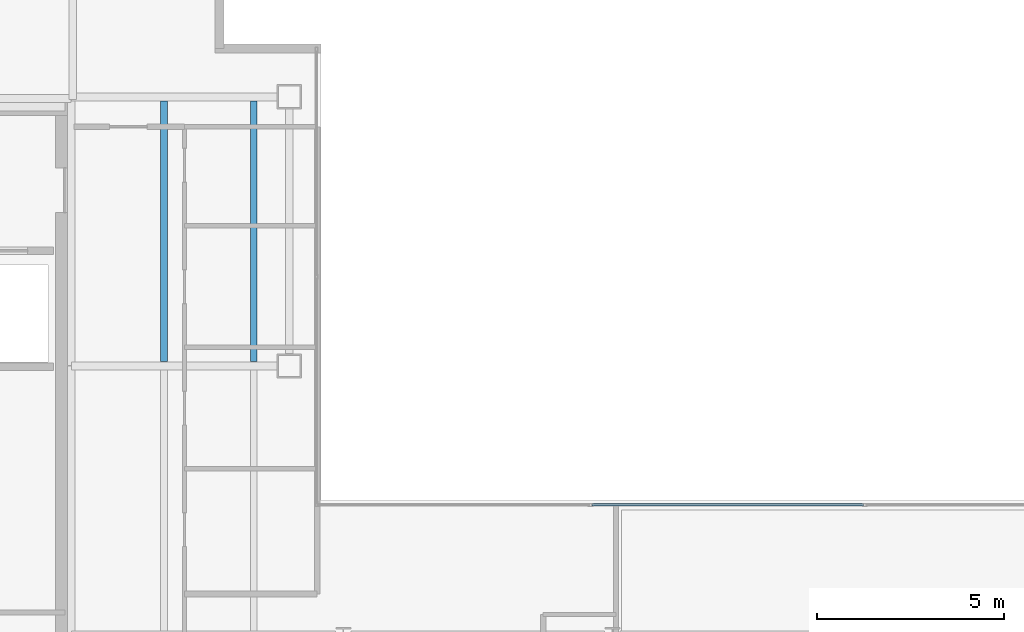
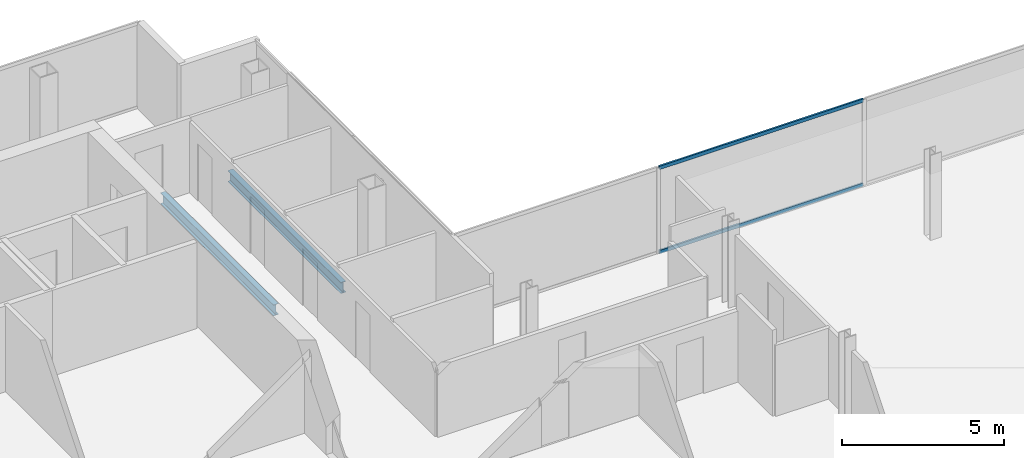
# One storey, part 10 of 23: 2 beams, 2 members, 1 element without a shape of its own.
"""IFC4 building model written with IfcOpenShell, lengths in metres."""

from ifc_helpers import new_model, si_unit, direction, frame, origin, origin_2d, place, context, subcontext, project, spatial, hollow_rectangle, i_section, extrude, material, material_profile, profile_set, type_object, element, aggregate, save


model = new_model("IFC4")

# Units and contexts
model_context = context("Model", 3, precision=1e-05, world=origin(), true_north=direction((0.0, 1.0)))
body_context = subcontext(model_context, "Body", "Model", "MODEL_VIEW")
ifc_project = project(units=[si_unit("LENGTHUNIT", "METRE"), si_unit("AREAUNIT", "SQUARE_METRE"), si_unit("VOLUMEUNIT", "CUBIC_METRE"), si_unit("PLANEANGLEUNIT", "RADIAN"), si_unit("MASSUNIT", "GRAM", prefix="KILO")], contexts=[model_context])

# Site, building, storey
site_placement = place(None, origin())
site = spatial("IfcSite", under=ifc_project, at=site_placement, CompositionType="ELEMENT")
building_placement = place(site_placement, origin())
building = spatial("IfcBuilding", under=site, at=building_placement, Name="Cobrela Telecom Tower", CompositionType="ELEMENT")
storey_placement = place(building_placement, frame((0.0, 0.0, 262.14990234375)))
storey = spatial("IfcBuildingStorey", under=building, at=storey_placement, Name="L68", CompositionType="ELEMENT", Elevation=262.14990234375)

# Beams
ifc_material_1 = material(Name="Steel ASTM A992 Grade 50", Category="steel")
ifc_material_profile_1 = material_profile(ifc_material_1, i_section(OverallWidth=0.179931640625, OverallDepth=0.4169921875, WebThickness=0.010986328125, FlangeThickness=0.01806640625, FilletRadius=0.011962890625, at=origin_2d()), Name="W16X57")
ifc_profile_set_1 = profile_set([ifc_material_profile_1], Name="Steel ASTM A992 Grade 50")
beam_type = type_object("IfcBeamType", Name="BM-JOIST-04", PredefinedType="JOIST", material=ifc_profile_set_1)
for number, where, z_axis, x_axis, name in (
    (1, (16.800048828125, 28.91162109375, -0.468505859375), (0.0, 1.0, 0.0), (-1.0, 0.0, 0.0), "L68 Secondary Composite Floor Beam J03"),
    (2, (19.199951171875, 28.91162109375, -0.468505859375), (0.0, 1.0, 0.0), (-1.0, 0.0, 0.0), "L68 Secondary Composite Floor Beam J06"),
):
    element("IfcBeam", number, at=place(storey_placement, frame(where, z_axis=z_axis, x_axis=x_axis)), inside=storey, type_object=beam_type, Name=name, PredefinedType="JOIST", context=body_context, shape_type="SweptSolid", body=[
        extrude(i_section(OverallWidth=0.179931640625, OverallDepth=0.4169921875, WebThickness=0.010986328125, FlangeThickness=0.01806640625, FilletRadius=0.011962890625, at=origin_2d()), origin(), (0.0, 0.0, 1.0), 6.976806640625),
    ])

# Curtain wall, members
ifc_material_2 = material(Name="Anodized Bronze Aluminium 6063-T6", Category="aluminium")
curtain_wall_type = type_object("IfcCurtainWallType", Name="CW-SYS-OFF-HI", PredefinedType="USERDEFINED", material=ifc_material_2)
curtain_wall_placement = place(storey_placement, origin())
curtain_wall = element("IfcCurtainWall", 3, at=curtain_wall_placement, inside=storey, type_object=curtain_wall_type, Name="L68 Unitised Bronze Curtain Wall 09", ObjectType="UNITISED CURTAIN WALL", PredefinedType="USERDEFINED")
ifc_material_profile_2 = material_profile(ifc_material_2, hollow_rectangle(XDim=0.06494140625, YDim=0.1298828125, WallThickness=0.00390625, at=origin_2d()), Name="ALU 65x130x4")
ifc_profile_set_2 = profile_set([ifc_material_profile_2], Name="Anodized Bronze Aluminium 6063-T6")
member_type = type_object("IfcMemberType", Name="CW-SYS-OFF-HI-TRN", PredefinedType="USERDEFINED", material=ifc_profile_set_2)
member_1_placement = place(storey_placement, frame((28.251708984375, 25.080078125, 0.03271484375), z_axis=(1.0, 0.0, 0.0), x_axis=(0.0, 1.0, 0.0)))
member_1 = element("IfcMember", 4, at=member_1_placement, type_object=member_type, Name="CW-OFF-HI transom 2.1", ObjectType="TRANSOM", PredefinedType="USERDEFINED", context=body_context, shape_type="SweptSolid", body=[
    extrude(hollow_rectangle(XDim=0.06494140625, YDim=0.1298828125, WallThickness=0.00390625, at=origin_2d()), origin(), (0.0, 0.0, 1.0), 7.2666015625),
])
member_2_placement = place(storey_placement, frame((28.251708984375, 25.080078125, 3.20751953125), z_axis=(1.0, 0.0, 0.0), x_axis=(0.0, 1.0, 0.0)))
member_2 = element("IfcMember", 5, at=member_2_placement, type_object=member_type, Name="CW-OFF-HI transom 2.2", ObjectType="TRANSOM", PredefinedType="USERDEFINED", context=body_context, shape_type="SweptSolid", body=[
    extrude(hollow_rectangle(XDim=0.06494140625, YDim=0.1298828125, WallThickness=0.00390625, at=origin_2d()), origin(), (0.0, 0.0, 1.0), 7.2666015625),
])
aggregate(curtain_wall, [member_1, member_2])

save(model, "model.ifc")
